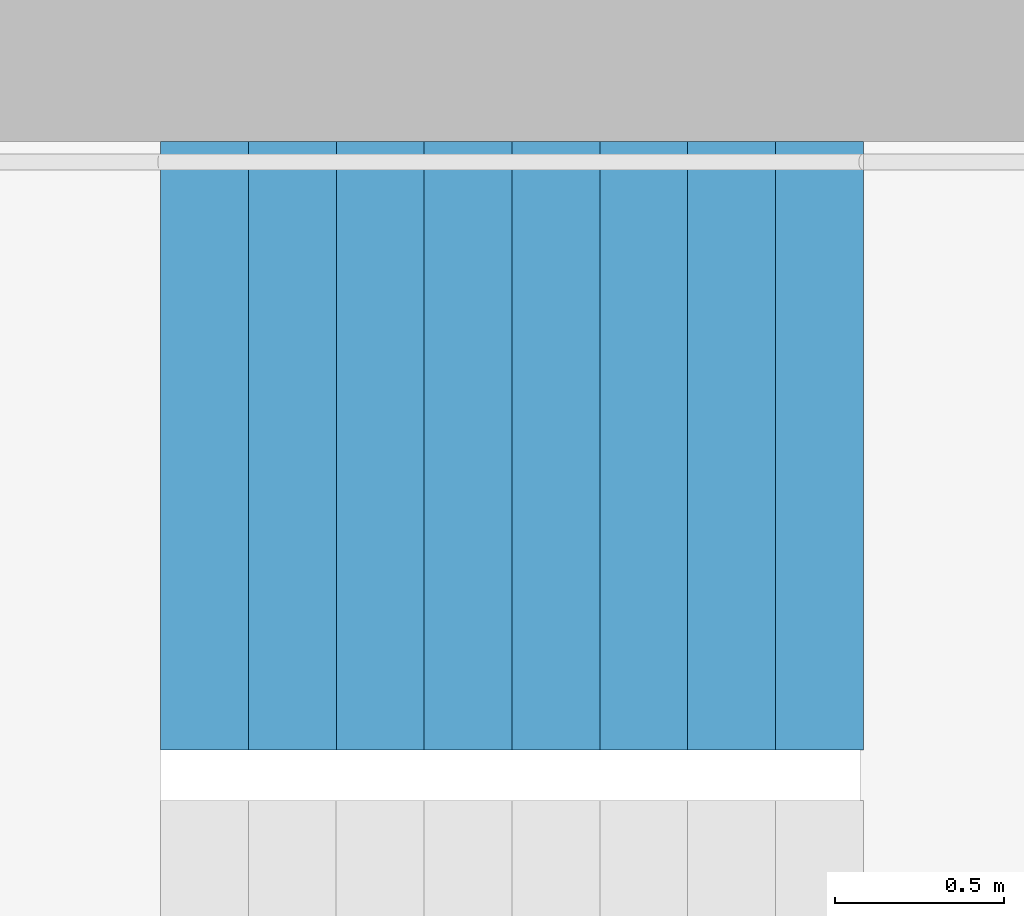
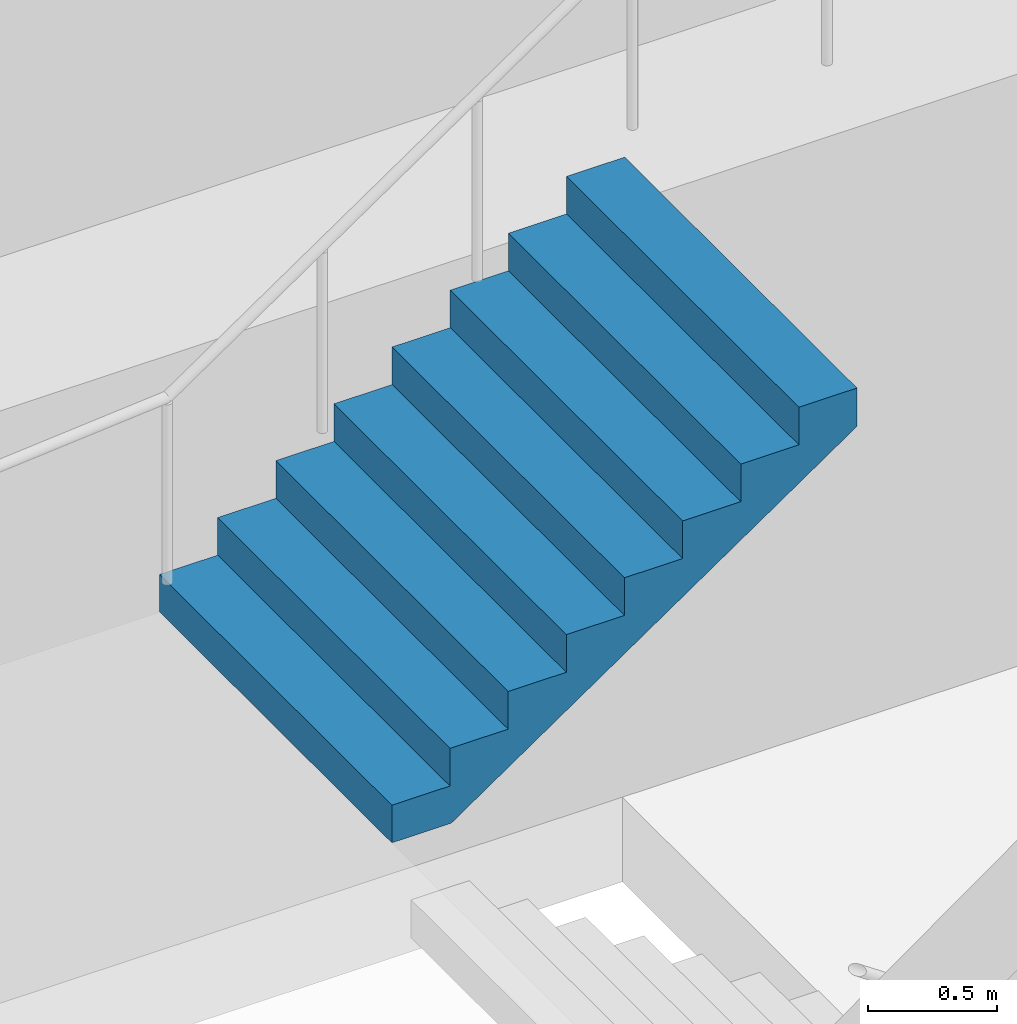
# One storey, part 28 of 36: 1 stair flight, 1 element without a shape of its own.
"""IFC4 building model written with IfcOpenShell, lengths in metres."""

from ifc_helpers import new_model, si_unit, direction, frame, origin, place, context, subcontext, project, spatial, triangles, material, type_object, element, aggregate, save


model = new_model("IFC4")

# Units and contexts
model_context = context("Model", 3, precision=1e-05, world=origin(), true_north=direction((0.0, 1.0)))
body_context = subcontext(model_context, "Body", "Model", "MODEL_VIEW")
ifc_project = project(units=[si_unit("LENGTHUNIT", "METRE"), si_unit("AREAUNIT", "SQUARE_METRE"), si_unit("VOLUMEUNIT", "CUBIC_METRE"), si_unit("PLANEANGLEUNIT", "RADIAN"), si_unit("MASSUNIT", "GRAM", prefix="KILO")], contexts=[model_context])

# Site, building, storey
site_placement = place(None, origin())
site = spatial("IfcSite", under=ifc_project, at=site_placement, CompositionType="ELEMENT")
building_placement = place(site_placement, origin())
building = spatial("IfcBuilding", under=site, at=building_placement, Name="Hakoniwa Tower and Hamabe Station Hall", CompositionType="ELEMENT")
storey_placement = place(building_placement, frame((0.0, 0.0, 26.199951171875)))
storey = spatial("IfcBuildingStorey", under=building, at=storey_placement, Name="L06", CompositionType="ELEMENT", Elevation=26.199951171875)

# Stair, stair flight
ifc_material_1 = material(Name="Concrete C40", Category="concrete")
stair_type = type_object("IfcStairType", Name="ESCAPE STAIR 1800", PredefinedType="HALF_TURN_STAIR", material=ifc_material_1)
stair_placement = place(storey_placement, origin())
stair = element("IfcStair", 1, at=stair_placement, inside=storey, type_object=stair_type, Name="Escape stair ST-3 L06", PredefinedType="HALF_TURN_STAIR")
ifc_material_2 = material(Name="Concrete C40", Category="concrete")
stair_flight_type = type_object("IfcStairFlightType", Name="STAIR FLIGHT 1800", PredefinedType="STRAIGHT", material=ifc_material_2)
stair_flight_placement = place(storey_placement, frame((22.320068359375, 6.60009765625, 1.60009765625), z_axis=(0.0, 0.0, 1.0), x_axis=(1.0, 0.0, 0.0)))
stair_flight = element("IfcStairFlight", 2, at=stair_flight_placement, type_object=stair_flight_type, Name="ST-3 flight 2", NumberOfRisers=9, NumberOfTreads=8, PredefinedType="STRAIGHT", RiserHeight=0.177777778, TreadLength=0.26, context=body_context, shape_type="Tessellation", body=[
    triangles([(0.0, 0.89990234375, 0.0), (0.260009765625, 0.89990234375, 0.0), (0.265625, 0.89990234375, 0.0), (0.52001953125, 0.89990234375, 0.174072265625), (0.780029296875, 0.89990234375, 0.351806640625), (1.0400390625, 0.89990234375, 0.529541015625), (1.300048828125, 0.89990234375, 0.707275390625), (1.56005859375, 0.89990234375, 0.885009765625), (1.820068359375, 0.89990234375, 1.062744140625), (2.080078125, 0.89990234375, 1.24072265625), (2.080078125, 0.89990234375, 1.422119140625), (1.820068359375, 0.89990234375, 1.422119140625), (1.820068359375, 0.89990234375, 1.244384765625), (1.56005859375, 0.89990234375, 1.244384765625), (1.56005859375, 0.89990234375, 1.066650390625), (1.300048828125, 0.89990234375, 1.066650390625), (1.300048828125, 0.89990234375, 0.888916015625), (1.0400390625, 0.89990234375, 0.888916015625), (1.0400390625, 0.89990234375, 0.711181640625), (0.780029296875, 0.89990234375, 0.711181640625), (0.780029296875, 0.89990234375, 0.533447265625), (0.52001953125, 0.89990234375, 0.533447265625), (0.52001953125, 0.89990234375, 0.35546875), (0.265625, 0.89990234375, 0.35546875), (0.260009765625, 0.89990234375, 0.35546875), (0.260009765625, 0.89990234375, 0.177734375), (0.0, 0.89990234375, 0.177734375), (0.0, 0.06005859375, 0.0), (0.260009765625, 0.06005859375, 0.0), (0.265625, 0.06005859375, 0.0), (0.52001953125, 0.06005859375, 0.174072265625), (0.780029296875, 0.06005859375, 0.351806640625), (1.0400390625, 0.06005859375, 0.529541015625), (1.300048828125, 0.06005859375, 0.707275390625), (1.56005859375, 0.06005859375, 0.885009765625), (1.820068359375, 0.06005859375, 1.062744140625), (2.080078125, 0.06005859375, 1.24072265625), (2.080078125, 0.06005859375, 1.422119140625), (1.820068359375, 0.06005859375, 1.422119140625), (1.820068359375, 0.06005859375, 1.244384765625), (1.56005859375, 0.06005859375, 1.244384765625), (1.56005859375, 0.06005859375, 1.066650390625), (1.300048828125, 0.06005859375, 1.066650390625), (1.300048828125, 0.06005859375, 0.888916015625), (1.0400390625, 0.06005859375, 0.888916015625), (1.0400390625, 0.06005859375, 0.711181640625), (0.780029296875, 0.06005859375, 0.711181640625), (0.780029296875, 0.06005859375, 0.533447265625), (0.52001953125, 0.06005859375, 0.533447265625), (0.52001953125, 0.06005859375, 0.35546875), (0.265625, 0.06005859375, 0.35546875), (0.260009765625, 0.06005859375, 0.35546875), (0.260009765625, 0.06005859375, 0.177734375), (0.0, 0.06005859375, 0.177734375), (0.0, 0.04296875, 0.0), (0.260009765625, 0.04296875, 0.0), (0.265625, 0.04296875, 0.0), (0.52001953125, 0.04296875, 0.174072265625), (0.780029296875, 0.04296875, 0.351806640625), (1.0400390625, 0.04296875, 0.529541015625), (1.300048828125, 0.04296875, 0.707275390625), (1.56005859375, 0.04296875, 0.885009765625), (1.820068359375, 0.04296875, 1.062744140625), (2.080078125, 0.04296875, 1.24072265625), (2.080078125, 0.04296875, 1.422119140625), (1.820068359375, 0.04296875, 1.422119140625), (1.820068359375, 0.04296875, 1.244384765625), (1.56005859375, 0.04296875, 1.244384765625), (1.56005859375, 0.04296875, 1.066650390625), (1.300048828125, 0.04296875, 1.066650390625), (1.300048828125, 0.04296875, 0.888916015625), (1.0400390625, 0.04296875, 0.888916015625), (1.0400390625, 0.04296875, 0.711181640625), (0.780029296875, 0.04296875, 0.711181640625), (0.780029296875, 0.04296875, 0.533447265625), (0.52001953125, 0.04296875, 0.533447265625), (0.52001953125, 0.04296875, 0.35546875), (0.265625, 0.04296875, 0.35546875), (0.260009765625, 0.04296875, 0.35546875), (0.260009765625, 0.04296875, 0.177734375), (0.0, 0.04296875, 0.177734375), (0.0, 0.025634765625, 0.0), (0.260009765625, 0.025634765625, 0.0), (0.265625, 0.025634765625, 0.0), (0.52001953125, 0.025634765625, 0.174072265625), (0.780029296875, 0.025634765625, 0.351806640625), (1.0400390625, 0.025634765625, 0.529541015625), (1.300048828125, 0.025634765625, 0.707275390625), (1.56005859375, 0.025634765625, 0.885009765625), (1.820068359375, 0.025634765625, 1.062744140625), (2.080078125, 0.025634765625, 1.24072265625), (2.080078125, 0.025634765625, 1.422119140625), (1.820068359375, 0.025634765625, 1.422119140625), (1.820068359375, 0.025634765625, 1.244384765625), (1.56005859375, 0.025634765625, 1.244384765625), (1.56005859375, 0.025634765625, 1.066650390625), (1.300048828125, 0.025634765625, 1.066650390625), (1.300048828125, 0.025634765625, 0.888916015625), (1.0400390625, 0.025634765625, 0.888916015625), (1.0400390625, 0.025634765625, 0.711181640625), (0.780029296875, 0.025634765625, 0.711181640625), (0.780029296875, 0.025634765625, 0.533447265625), (0.52001953125, 0.025634765625, 0.533447265625), (0.52001953125, 0.025634765625, 0.35546875), (0.265625, 0.025634765625, 0.35546875), (0.260009765625, 0.025634765625, 0.35546875), (0.260009765625, 0.025634765625, 0.177734375), (0.0, 0.025634765625, 0.177734375), (0.0, 0.008544921875, 0.0), (0.260009765625, 0.008544921875, 0.0), (0.265625, 0.008544921875, 0.0), (0.52001953125, 0.008544921875, 0.174072265625), (0.780029296875, 0.008544921875, 0.351806640625), (1.0400390625, 0.008544921875, 0.529541015625), (1.300048828125, 0.008544921875, 0.707275390625), (1.56005859375, 0.008544921875, 0.885009765625), (1.820068359375, 0.008544921875, 1.062744140625), (2.080078125, 0.008544921875, 1.24072265625), (2.080078125, 0.008544921875, 1.422119140625), (1.820068359375, 0.008544921875, 1.422119140625), (1.820068359375, 0.008544921875, 1.244384765625), (1.56005859375, 0.008544921875, 1.244384765625), (1.56005859375, 0.008544921875, 1.066650390625), (1.300048828125, 0.008544921875, 1.066650390625), (1.300048828125, 0.008544921875, 0.888916015625), (1.0400390625, 0.008544921875, 0.888916015625), (1.0400390625, 0.008544921875, 0.711181640625), (0.780029296875, 0.008544921875, 0.711181640625), (0.780029296875, 0.008544921875, 0.533447265625), (0.52001953125, 0.008544921875, 0.533447265625), (0.52001953125, 0.008544921875, 0.35546875), (0.265625, 0.008544921875, 0.35546875), (0.260009765625, 0.008544921875, 0.35546875), (0.260009765625, 0.008544921875, 0.177734375), (0.0, 0.008544921875, 0.177734375), (0.0, -0.008544921875, 0.0), (0.260009765625, -0.008544921875, 0.0), (0.265625, -0.008544921875, 0.0), (0.52001953125, -0.008544921875, 0.174072265625), (0.780029296875, -0.008544921875, 0.351806640625), (1.0400390625, -0.008544921875, 0.529541015625), (1.300048828125, -0.008544921875, 0.707275390625), (1.56005859375, -0.008544921875, 0.885009765625), (1.820068359375, -0.008544921875, 1.062744140625), (2.080078125, -0.008544921875, 1.24072265625), (2.080078125, -0.008544921875, 1.422119140625), (1.820068359375, -0.008544921875, 1.422119140625), (1.820068359375, -0.008544921875, 1.244384765625), (1.56005859375, -0.008544921875, 1.244384765625), (1.56005859375, -0.008544921875, 1.066650390625), (1.300048828125, -0.008544921875, 1.066650390625), (1.300048828125, -0.008544921875, 0.888916015625), (1.0400390625, -0.008544921875, 0.888916015625), (1.0400390625, -0.008544921875, 0.711181640625), (0.780029296875, -0.008544921875, 0.711181640625), (0.780029296875, -0.008544921875, 0.533447265625), (0.52001953125, -0.008544921875, 0.533447265625), (0.52001953125, -0.008544921875, 0.35546875), (0.265625, -0.008544921875, 0.35546875), (0.260009765625, -0.008544921875, 0.35546875), (0.260009765625, -0.008544921875, 0.177734375), (0.0, -0.008544921875, 0.177734375), (0.0, -0.025634765625, 0.0), (0.260009765625, -0.025634765625, 0.0), (0.265625, -0.025634765625, 0.0), (0.52001953125, -0.025634765625, 0.174072265625), (0.780029296875, -0.025634765625, 0.351806640625), (1.0400390625, -0.025634765625, 0.529541015625), (1.300048828125, -0.025634765625, 0.707275390625), (1.56005859375, -0.025634765625, 0.885009765625), (1.820068359375, -0.025634765625, 1.062744140625), (2.080078125, -0.025634765625, 1.24072265625), (2.080078125, -0.025634765625, 1.422119140625), (1.820068359375, -0.025634765625, 1.422119140625), (1.820068359375, -0.025634765625, 1.244384765625), (1.56005859375, -0.025634765625, 1.244384765625), (1.56005859375, -0.025634765625, 1.066650390625), (1.300048828125, -0.025634765625, 1.066650390625), (1.300048828125, -0.025634765625, 0.888916015625), (1.0400390625, -0.025634765625, 0.888916015625), (1.0400390625, -0.025634765625, 0.711181640625), (0.780029296875, -0.025634765625, 0.711181640625), (0.780029296875, -0.025634765625, 0.533447265625), (0.52001953125, -0.025634765625, 0.533447265625), (0.52001953125, -0.025634765625, 0.35546875), (0.265625, -0.025634765625, 0.35546875), (0.260009765625, -0.025634765625, 0.35546875), (0.260009765625, -0.025634765625, 0.177734375), (0.0, -0.025634765625, 0.177734375), (0.0, -0.04296875, 0.0), (0.260009765625, -0.04296875, 0.0), (0.265625, -0.04296875, 0.0), (0.52001953125, -0.04296875, 0.174072265625), (0.780029296875, -0.04296875, 0.351806640625), (1.0400390625, -0.04296875, 0.529541015625), (1.300048828125, -0.04296875, 0.707275390625), (1.56005859375, -0.04296875, 0.885009765625), (1.820068359375, -0.04296875, 1.062744140625), (2.080078125, -0.04296875, 1.24072265625), (2.080078125, -0.04296875, 1.422119140625), (1.820068359375, -0.04296875, 1.422119140625), (1.820068359375, -0.04296875, 1.244384765625), (1.56005859375, -0.04296875, 1.244384765625), (1.56005859375, -0.04296875, 1.066650390625), (1.300048828125, -0.04296875, 1.066650390625), (1.300048828125, -0.04296875, 0.888916015625), (1.0400390625, -0.04296875, 0.888916015625), (1.0400390625, -0.04296875, 0.711181640625), (0.780029296875, -0.04296875, 0.711181640625), (0.780029296875, -0.04296875, 0.533447265625), (0.52001953125, -0.04296875, 0.533447265625), (0.52001953125, -0.04296875, 0.35546875), (0.265625, -0.04296875, 0.35546875), (0.260009765625, -0.04296875, 0.35546875), (0.260009765625, -0.04296875, 0.177734375), (0.0, -0.04296875, 0.177734375), (0.0, -0.06005859375, 0.0), (0.260009765625, -0.06005859375, 0.0), (0.265625, -0.06005859375, 0.0), (0.52001953125, -0.06005859375, 0.174072265625), (0.780029296875, -0.06005859375, 0.351806640625), (1.0400390625, -0.06005859375, 0.529541015625), (1.300048828125, -0.06005859375, 0.707275390625), (1.56005859375, -0.06005859375, 0.885009765625), (1.820068359375, -0.06005859375, 1.062744140625), (2.080078125, -0.06005859375, 1.24072265625), (2.080078125, -0.06005859375, 1.422119140625), (1.820068359375, -0.06005859375, 1.422119140625), (1.820068359375, -0.06005859375, 1.244384765625), (1.56005859375, -0.06005859375, 1.244384765625), (1.56005859375, -0.06005859375, 1.066650390625), (1.300048828125, -0.06005859375, 1.066650390625), (1.300048828125, -0.06005859375, 0.888916015625), (1.0400390625, -0.06005859375, 0.888916015625), (1.0400390625, -0.06005859375, 0.711181640625), (0.780029296875, -0.06005859375, 0.711181640625), (0.780029296875, -0.06005859375, 0.533447265625), (0.52001953125, -0.06005859375, 0.533447265625), (0.52001953125, -0.06005859375, 0.35546875), (0.265625, -0.06005859375, 0.35546875), (0.260009765625, -0.06005859375, 0.35546875), (0.260009765625, -0.06005859375, 0.177734375), (0.0, -0.06005859375, 0.177734375), (0.0, -0.89990234375, 0.0), (0.260009765625, -0.89990234375, 0.0), (0.265625, -0.89990234375, 0.0), (0.52001953125, -0.89990234375, 0.174072265625), (0.780029296875, -0.89990234375, 0.351806640625), (1.0400390625, -0.89990234375, 0.529541015625), (1.300048828125, -0.89990234375, 0.707275390625), (1.56005859375, -0.89990234375, 0.885009765625), (1.820068359375, -0.89990234375, 1.062744140625), (2.080078125, -0.89990234375, 1.24072265625), (2.080078125, -0.89990234375, 1.422119140625), (1.820068359375, -0.89990234375, 1.422119140625), (1.820068359375, -0.89990234375, 1.244384765625), (1.56005859375, -0.89990234375, 1.244384765625), (1.56005859375, -0.89990234375, 1.066650390625), (1.300048828125, -0.89990234375, 1.066650390625), (1.300048828125, -0.89990234375, 0.888916015625), (1.0400390625, -0.89990234375, 0.888916015625), (1.0400390625, -0.89990234375, 0.711181640625), (0.780029296875, -0.89990234375, 0.711181640625), (0.780029296875, -0.89990234375, 0.533447265625), (0.52001953125, -0.89990234375, 0.533447265625), (0.52001953125, -0.89990234375, 0.35546875), (0.265625, -0.89990234375, 0.35546875), (0.260009765625, -0.89990234375, 0.35546875), (0.260009765625, -0.89990234375, 0.177734375), (0.0, -0.89990234375, 0.177734375)], [[2, 27, 26], [245, 269, 270], [2, 1, 27], [245, 270, 244], [3, 25, 24], [246, 267, 268], [3, 26, 25], [246, 268, 269], [3, 2, 26], [246, 269, 245], [4, 24, 23], [247, 266, 267], [4, 3, 24], [247, 267, 246], [5, 22, 21], [248, 264, 265], [5, 23, 22], [248, 265, 266], [5, 4, 23], [248, 266, 247], [6, 20, 19], [249, 262, 263], [6, 21, 20], [249, 263, 264], [6, 5, 21], [249, 264, 248], [7, 18, 17], [250, 260, 261], [7, 19, 18], [250, 261, 262], [7, 6, 19], [250, 262, 249], [8, 16, 15], [251, 258, 259], [8, 17, 16], [251, 259, 260], [8, 7, 17], [251, 260, 250], [9, 14, 13], [252, 256, 257], [9, 15, 14], [252, 257, 258], [9, 8, 15], [252, 258, 251], [10, 12, 11], [253, 254, 255], [10, 13, 12], [253, 255, 256], [10, 9, 13], [253, 256, 252], [1, 2, 29], [1, 29, 28], [28, 29, 56], [28, 56, 55], [55, 56, 83], [55, 83, 82], [82, 83, 110], [82, 110, 109], [109, 110, 137], [109, 137, 136], [136, 137, 164], [136, 164, 163], [163, 164, 191], [163, 191, 190], [190, 191, 218], [190, 218, 217], [217, 218, 245], [217, 245, 244], [2, 3, 30], [2, 30, 29], [29, 30, 57], [29, 57, 56], [56, 57, 84], [56, 84, 83], [83, 84, 111], [83, 111, 110], [110, 111, 138], [110, 138, 137], [137, 138, 165], [137, 165, 164], [164, 165, 192], [164, 192, 191], [191, 192, 219], [191, 219, 218], [218, 219, 246], [218, 246, 245], [3, 4, 31], [3, 31, 30], [30, 31, 58], [30, 58, 57], [57, 58, 85], [57, 85, 84], [84, 85, 112], [84, 112, 111], [111, 112, 139], [111, 139, 138], [138, 139, 166], [138, 166, 165], [165, 166, 193], [165, 193, 192], [192, 193, 220], [192, 220, 219], [219, 220, 247], [219, 247, 246], [4, 5, 32], [4, 32, 31], [31, 32, 59], [31, 59, 58], [58, 59, 86], [58, 86, 85], [85, 86, 113], [85, 113, 112], [112, 113, 140], [112, 140, 139], [139, 140, 167], [139, 167, 166], [166, 167, 194], [166, 194, 193], [193, 194, 221], [193, 221, 220], [220, 221, 248], [220, 248, 247], [5, 6, 33], [5, 33, 32], [32, 33, 60], [32, 60, 59], [59, 60, 87], [59, 87, 86], [86, 87, 114], [86, 114, 113], [113, 114, 141], [113, 141, 140], [140, 141, 168], [140, 168, 167], [167, 168, 195], [167, 195, 194], [194, 195, 222], [194, 222, 221], [221, 222, 249], [221, 249, 248], [6, 7, 34], [6, 34, 33], [33, 34, 61], [33, 61, 60], [60, 61, 88], [60, 88, 87], [87, 88, 115], [87, 115, 114], [114, 115, 142], [114, 142, 141], [141, 142, 169], [141, 169, 168], [168, 169, 196], [168, 196, 195], [195, 196, 223], [195, 223, 222], [222, 223, 250], [222, 250, 249], [7, 8, 35], [7, 35, 34], [34, 35, 62], [34, 62, 61], [61, 62, 89], [61, 89, 88], [88, 89, 116], [88, 116, 115], [115, 116, 143], [115, 143, 142], [142, 143, 170], [142, 170, 169], [169, 170, 197], [169, 197, 196], [196, 197, 224], [196, 224, 223], [223, 224, 251], [223, 251, 250], [8, 9, 36], [8, 36, 35], [35, 36, 63], [35, 63, 62], [62, 63, 90], [62, 90, 89], [89, 90, 117], [89, 117, 116], [116, 117, 144], [116, 144, 143], [143, 144, 171], [143, 171, 170], [170, 171, 198], [170, 198, 197], [197, 198, 225], [197, 225, 224], [224, 225, 252], [224, 252, 251], [9, 10, 37], [9, 37, 36], [36, 37, 64], [36, 64, 63], [63, 64, 91], [63, 91, 90], [90, 91, 118], [90, 118, 117], [117, 118, 145], [117, 145, 144], [144, 145, 172], [144, 172, 171], [171, 172, 199], [171, 199, 198], [198, 199, 226], [198, 226, 225], [225, 226, 253], [225, 253, 252], [10, 11, 38], [10, 38, 37], [37, 38, 65], [37, 65, 64], [64, 65, 92], [64, 92, 91], [91, 92, 119], [91, 119, 118], [118, 119, 146], [118, 146, 145], [145, 146, 173], [145, 173, 172], [172, 173, 200], [172, 200, 199], [199, 200, 227], [199, 227, 226], [226, 227, 254], [226, 254, 253], [11, 12, 39], [11, 39, 38], [38, 39, 66], [38, 66, 65], [65, 66, 93], [65, 93, 92], [92, 93, 120], [92, 120, 119], [119, 120, 147], [119, 147, 146], [146, 147, 174], [146, 174, 173], [173, 174, 201], [173, 201, 200], [200, 201, 228], [200, 228, 227], [227, 228, 255], [227, 255, 254], [12, 13, 40], [12, 40, 39], [39, 40, 67], [39, 67, 66], [66, 67, 94], [66, 94, 93], [93, 94, 121], [93, 121, 120], [120, 121, 148], [120, 148, 147], [147, 148, 175], [147, 175, 174], [174, 175, 202], [174, 202, 201], [201, 202, 229], [201, 229, 228], [228, 229, 256], [228, 256, 255], [13, 14, 41], [13, 41, 40], [40, 41, 68], [40, 68, 67], [67, 68, 95], [67, 95, 94], [94, 95, 122], [94, 122, 121], [121, 122, 149], [121, 149, 148], [148, 149, 176], [148, 176, 175], [175, 176, 203], [175, 203, 202], [202, 203, 230], [202, 230, 229], [229, 230, 257], [229, 257, 256], [14, 15, 42], [14, 42, 41], [41, 42, 69], [41, 69, 68], [68, 69, 96], [68, 96, 95], [95, 96, 123], [95, 123, 122], [122, 123, 150], [122, 150, 149], [149, 150, 177], [149, 177, 176], [176, 177, 204], [176, 204, 203], [203, 204, 231], [203, 231, 230], [230, 231, 258], [230, 258, 257], [15, 16, 43], [15, 43, 42], [42, 43, 70], [42, 70, 69], [69, 70, 97], [69, 97, 96], [96, 97, 124], [96, 124, 123], [123, 124, 151], [123, 151, 150], [150, 151, 178], [150, 178, 177], [177, 178, 205], [177, 205, 204], [204, 205, 232], [204, 232, 231], [231, 232, 259], [231, 259, 258], [16, 17, 44], [16, 44, 43], [43, 44, 71], [43, 71, 70], [70, 71, 98], [70, 98, 97], [97, 98, 125], [97, 125, 124], [124, 125, 152], [124, 152, 151], [151, 152, 179], [151, 179, 178], [178, 179, 206], [178, 206, 205], [205, 206, 233], [205, 233, 232], [232, 233, 260], [232, 260, 259], [17, 18, 45], [17, 45, 44], [44, 45, 72], [44, 72, 71], [71, 72, 99], [71, 99, 98], [98, 99, 126], [98, 126, 125], [125, 126, 153], [125, 153, 152], [152, 153, 180], [152, 180, 179], [179, 180, 207], [179, 207, 206], [206, 207, 234], [206, 234, 233], [233, 234, 261], [233, 261, 260], [18, 19, 46], [18, 46, 45], [45, 46, 73], [45, 73, 72], [72, 73, 100], [72, 100, 99], [99, 100, 127], [99, 127, 126], [126, 127, 154], [126, 154, 153], [153, 154, 181], [153, 181, 180], [180, 181, 208], [180, 208, 207], [207, 208, 235], [207, 235, 234], [234, 235, 262], [234, 262, 261], [19, 20, 47], [19, 47, 46], [46, 47, 74], [46, 74, 73], [73, 74, 101], [73, 101, 100], [100, 101, 128], [100, 128, 127], [127, 128, 155], [127, 155, 154], [154, 155, 182], [154, 182, 181], [181, 182, 209], [181, 209, 208], [208, 209, 236], [208, 236, 235], [235, 236, 263], [235, 263, 262], [20, 21, 48], [20, 48, 47], [47, 48, 75], [47, 75, 74], [74, 75, 102], [74, 102, 101], [101, 102, 129], [101, 129, 128], [128, 129, 156], [128, 156, 155], [155, 156, 183], [155, 183, 182], [182, 183, 210], [182, 210, 209], [209, 210, 237], [209, 237, 236], [236, 237, 264], [236, 264, 263], [21, 22, 49], [21, 49, 48], [48, 49, 76], [48, 76, 75], [75, 76, 103], [75, 103, 102], [102, 103, 130], [102, 130, 129], [129, 130, 157], [129, 157, 156], [156, 157, 184], [156, 184, 183], [183, 184, 211], [183, 211, 210], [210, 211, 238], [210, 238, 237], [237, 238, 265], [237, 265, 264], [22, 23, 50], [22, 50, 49], [49, 50, 77], [49, 77, 76], [76, 77, 104], [76, 104, 103], [103, 104, 131], [103, 131, 130], [130, 131, 158], [130, 158, 157], [157, 158, 185], [157, 185, 184], [184, 185, 212], [184, 212, 211], [211, 212, 239], [211, 239, 238], [238, 239, 266], [238, 266, 265], [23, 24, 51], [23, 51, 50], [50, 51, 78], [50, 78, 77], [77, 78, 105], [77, 105, 104], [104, 105, 132], [104, 132, 131], [131, 132, 159], [131, 159, 158], [158, 159, 186], [158, 186, 185], [185, 186, 213], [185, 213, 212], [212, 213, 240], [212, 240, 239], [239, 240, 267], [239, 267, 266], [24, 25, 52], [24, 52, 51], [51, 52, 79], [51, 79, 78], [78, 79, 106], [78, 106, 105], [105, 106, 133], [105, 133, 132], [132, 133, 160], [132, 160, 159], [159, 160, 187], [159, 187, 186], [186, 187, 214], [186, 214, 213], [213, 214, 241], [213, 241, 240], [240, 241, 268], [240, 268, 267], [25, 26, 53], [25, 53, 52], [52, 53, 80], [52, 80, 79], [79, 80, 107], [79, 107, 106], [106, 107, 134], [106, 134, 133], [133, 134, 161], [133, 161, 160], [160, 161, 188], [160, 188, 187], [187, 188, 215], [187, 215, 214], [214, 215, 242], [214, 242, 241], [241, 242, 269], [241, 269, 268], [26, 27, 54], [26, 54, 53], [53, 54, 81], [53, 81, 80], [80, 81, 108], [80, 108, 107], [107, 108, 135], [107, 135, 134], [134, 135, 162], [134, 162, 161], [161, 162, 189], [161, 189, 188], [188, 189, 216], [188, 216, 215], [215, 216, 243], [215, 243, 242], [242, 243, 270], [242, 270, 269], [27, 1, 28], [27, 28, 54], [54, 28, 55], [54, 55, 81], [81, 55, 82], [81, 82, 108], [108, 82, 109], [108, 109, 135], [135, 109, 136], [135, 136, 162], [162, 136, 163], [162, 163, 189], [189, 163, 190], [189, 190, 216], [216, 190, 217], [216, 217, 243], [243, 217, 244], [243, 244, 270]], closed=True),
])
aggregate(stair, [stair_flight])

save(model, "model.ifc")
